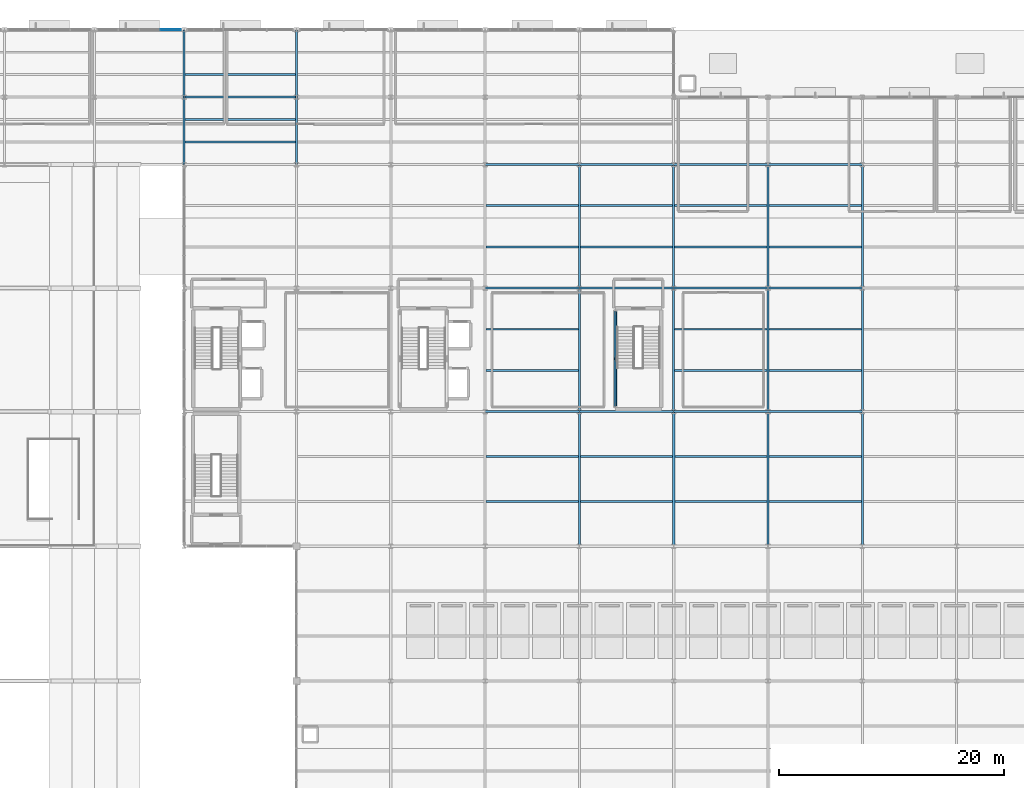
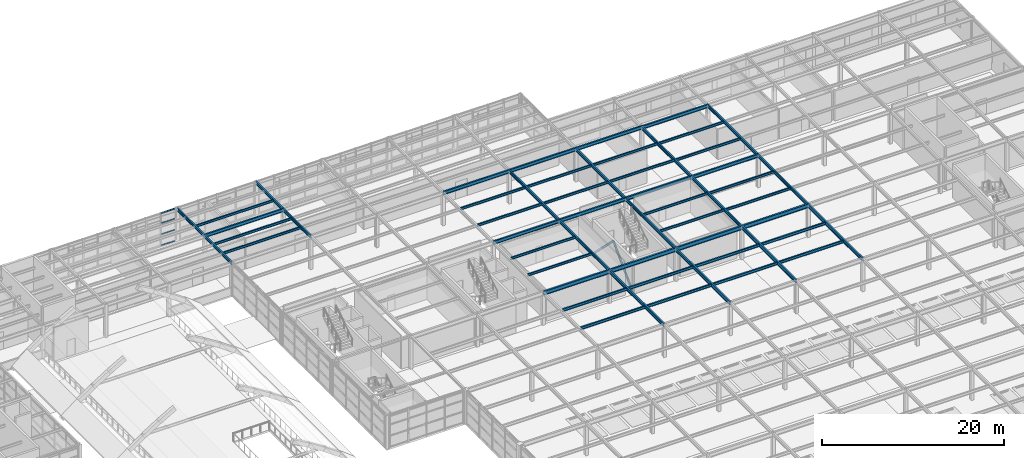
# One storey, part 34 of 82: 54 beams, 6 members, 1 element without a shape of its own.
"""IFC4 building model written with IfcOpenShell, lengths in metres."""

from ifc_helpers import new_model, si_unit, direction, frame, origin, origin_2d, place, context, subcontext, project, spatial, rectangle, hollow_circle, i_section, extrude, material, layer, layer_set, material_profile, profile_set, type_object, element, aggregate, save


model = new_model("IFC4")

# Units and contexts
model_context = context("Model", 3, precision=1e-05, world=origin(), true_north=direction((0.0, 1.0)))
body_context = subcontext(model_context, "Body", "Model", "MODEL_VIEW")
ifc_project = project(units=[si_unit("LENGTHUNIT", "METRE"), si_unit("AREAUNIT", "SQUARE_METRE"), si_unit("VOLUMEUNIT", "CUBIC_METRE"), si_unit("PLANEANGLEUNIT", "RADIAN"), si_unit("MASSUNIT", "GRAM", prefix="KILO")], contexts=[model_context])

# Site, building, storey
site_placement = place(None, origin())
site = spatial("IfcSite", under=ifc_project, at=site_placement, CompositionType="ELEMENT")
building_placement = place(site_placement, origin())
building = spatial("IfcBuilding", under=site, at=building_placement, Name="Sitalva Quay Ferry Terminal", CompositionType="ELEMENT")
storey_placement = place(building_placement, frame((0.0, 0.0, 5.39990234375)))
storey = spatial("IfcBuildingStorey", under=building, at=storey_placement, Name="L02", CompositionType="ELEMENT", Elevation=5.39990234375)

# Beams
ifc_material_1 = material(Name="Structural Steel S355JR", Category="steel")
ifc_material_profile_1 = material_profile(ifc_material_1, i_section(OverallWidth=0.180908203125, OverallDepth=0.4169921875, WebThickness=0.010986328125, FlangeThickness=0.018310546875, FilletRadius=0.012939453125, at=origin_2d()), Name="W410x85")
ifc_profile_set_1 = profile_set([ifc_material_profile_1], Name="Structural Steel S355JR")
beam_type_1 = type_object("IfcBeamType", Name="Beam_W410x85", PredefinedType="BEAM", material=ifc_profile_set_1)
for number, where, z_axis, x_axis, name in (
    (1, (74.0, 100.0, 4.24169921875), (0.0, 1.0, 0.0), (-1.0, 0.0, 0.0), "L02 Primary Y girder 1020"),
    (2, (84.0, 100.0, 4.29150390625), (0.0, 1.0, 0.0), (-1.0, 0.0, 0.0), "L02 Primary Y girder 1023"),
):
    element("IfcBeam", number, at=place(storey_placement, frame(where, z_axis=z_axis, x_axis=x_axis)), inside=storey, type_object=beam_type_1, Name=name, PredefinedType="BEAM", context=body_context, shape_type="SweptSolid", body=[
        extrude(i_section(OverallWidth=0.180908203125, OverallDepth=0.4169921875, WebThickness=0.010986328125, FlangeThickness=0.018310546875, FilletRadius=0.012939453125, at=origin_2d()), origin(), (0.0, 0.0, 1.0), 6.0),
    ])
for number, where, z_axis, x_axis, name in (
    (3, (109.199951171875, 78.0, 4.29150390625), (0.0, 1.0, 0.0), (-1.0, 0.0, 0.0), "L02 Primary Y girder 1030"),
    (4, (109.199951171875, 89.0, 4.29150390625), (0.0, 1.0, 0.0), (-1.0, 0.0, 0.0), "L02 Primary Y girder 1031"),
    (5, (117.60009765625, 78.0, 4.29150390625), (0.0, 1.0, 0.0), (-1.0, 0.0, 0.0), "L02 Primary Y girder 1033"),
    (6, (117.60009765625, 89.0, 4.29150390625), (0.0, 1.0, 0.0), (-1.0, 0.0, 0.0), "L02 Primary Y girder 1034"),
    (7, (126.0, 78.0, 4.24169921875), (0.0, 1.0, 0.0), (-1.0, 0.0, 0.0), "L02 Primary Y girder 1036"),
    (8, (126.0, 89.0, 4.24169921875), (0.0, 1.0, 0.0), (-1.0, 0.0, 0.0), "L02 Primary Y girder 1037"),
    (9, (134.39990234375, 78.0, 4.24169921875), (0.0, 1.0, 0.0), (-1.0, 0.0, 0.0), "L02 Primary Y girder 1084"),
    (10, (134.39990234375, 89.0, 4.24169921875), (0.0, 1.0, 0.0), (-1.0, 0.0, 0.0), "L02 Primary Y girder 1085"),
):
    element("IfcBeam", number, at=place(storey_placement, frame(where, z_axis=z_axis, x_axis=x_axis)), inside=storey, type_object=beam_type_1, Name=name, PredefinedType="BEAM", context=body_context, shape_type="SweptSolid", body=[
        extrude(i_section(OverallWidth=0.180908203125, OverallDepth=0.4169921875, WebThickness=0.010986328125, FlangeThickness=0.018310546875, FilletRadius=0.012939453125, at=origin_2d()), origin(), (0.0, 0.0, 1.0), 11.0),
    ])
for number, where, z_axis, x_axis, name in (
    (11, (74.0, 106.0, 4.24169921875), (0.0, 1.0, 0.0), (-1.0, 0.0, 0.0), "L02 Primary Y girder 1148"),
    (12, (84.0, 106.0, 4.29150390625), (0.0, 1.0, 0.0), (-1.0, 0.0, 0.0), "L02 Primary Y girder 1170"),
):
    element("IfcBeam", number, at=place(storey_placement, frame(where, z_axis=z_axis, x_axis=x_axis)), inside=storey, type_object=beam_type_1, Name=name, PredefinedType="BEAM", context=body_context, shape_type="SweptSolid", body=[
        extrude(i_section(OverallWidth=0.180908203125, OverallDepth=0.4169921875, WebThickness=0.010986328125, FlangeThickness=0.018310546875, FilletRadius=0.012939453125, at=origin_2d()), origin(), (0.0, 0.0, 1.0), 6.0),
    ])
ifc_material_2 = material(Name="Structural Steel S355JR", Category="steel")
ifc_material_profile_2 = material_profile(ifc_material_2, i_section(OverallWidth=0.19091796875, OverallDepth=0.4599609375, WebThickness=0.010009765625, FlangeThickness=0.01611328125, FilletRadius=0.013916015625, at=origin_2d()), Name="W460x82")
ifc_profile_set_2 = profile_set([ifc_material_profile_2], Name="Structural Steel S355JR")
beam_type_2 = type_object("IfcBeamType", Name="Beam_W460x82", PredefinedType="BEAM", material=ifc_profile_set_2)
for number, where, z_axis, x_axis, name in (
    (13, (109.199951171875, 66.0, 4.22021484375), (0.0, 1.0, 0.0), (-1.0, 0.0, 0.0), "L02 Primary Y girder 0826"),
    (14, (117.60009765625, 66.0, 4.22021484375), (0.0, 1.0, 0.0), (-1.0, 0.0, 0.0), "L02 Primary Y girder 0831"),
    (15, (126.0, 66.0, 4.22021484375), (0.0, 1.0, 0.0), (-1.0, 0.0, 0.0), "L02 Primary Y girder 0836"),
    (16, (134.39990234375, 66.0, 4.22021484375), (0.0, 1.0, 0.0), (-1.0, 0.0, 0.0), "L02 Primary Y girder 0841"),
):
    element("IfcBeam", number, at=place(storey_placement, frame(where, z_axis=z_axis, x_axis=x_axis)), inside=storey, type_object=beam_type_2, Name=name, PredefinedType="BEAM", context=body_context, shape_type="SweptSolid", body=[
        extrude(i_section(OverallWidth=0.19091796875, OverallDepth=0.4599609375, WebThickness=0.010009765625, FlangeThickness=0.01611328125, FilletRadius=0.013916015625, at=origin_2d()), origin(), (0.0, 0.0, 1.0), 12.0),
    ])
beam_1_placement = place(storey_placement, frame((100.800048828125, 89.0, 4.27001953125), z_axis=(1.0, 0.0, 0.0), x_axis=(0.0, 1.0, 0.0)))
element("IfcBeam", 17, at=beam_1_placement, inside=storey, type_object=beam_type_2, Name="L02 Primary X girder 1003", PredefinedType="BEAM", context=body_context, shape_type="SweptSolid", body=[
    extrude(i_section(OverallWidth=0.19091796875, OverallDepth=0.4599609375, WebThickness=0.010009765625, FlangeThickness=0.01611328125, FilletRadius=0.013916015625, at=origin_2d()), origin(), (0.0, 0.0, 1.0), 8.39990234375),
])
beam_2_placement = place(storey_placement, frame((109.199951171875, 89.0, 4.27001953125), z_axis=(1.0, 0.0, 0.0), x_axis=(0.0, 1.0, 0.0)))
element("IfcBeam", 18, at=beam_2_placement, inside=storey, type_object=beam_type_2, Name="L02 Primary X girder 1004", PredefinedType="BEAM", context=body_context, shape_type="SweptSolid", body=[
    extrude(i_section(OverallWidth=0.19091796875, OverallDepth=0.4599609375, WebThickness=0.010009765625, FlangeThickness=0.01611328125, FilletRadius=0.013916015625, at=origin_2d()), origin(), (0.0, 0.0, 1.0), 8.400146484375),
])
for number, where, z_axis, x_axis, name in (
    (19, (117.60009765625, 89.0, 4.27001953125), (1.0, 0.0, 0.0), (0.0, 1.0, 0.0), "L02 Primary X girder 1005"),
    (20, (100.800048828125, 100.0, 4.27001953125), (1.0, 0.0, 0.0), (0.0, 1.0, 0.0), "L02 Primary X girder 1009"),
):
    element("IfcBeam", number, at=place(storey_placement, frame(where, z_axis=z_axis, x_axis=x_axis)), inside=storey, type_object=beam_type_2, Name=name, PredefinedType="BEAM", context=body_context, shape_type="SweptSolid", body=[
        extrude(i_section(OverallWidth=0.19091796875, OverallDepth=0.4599609375, WebThickness=0.010009765625, FlangeThickness=0.01611328125, FilletRadius=0.013916015625, at=origin_2d()), origin(), (0.0, 0.0, 1.0), 8.39990234375),
    ])
beam_3_placement = place(storey_placement, frame((109.199951171875, 100.0, 4.27001953125), z_axis=(1.0, 0.0, 0.0), x_axis=(0.0, 1.0, 0.0)))
element("IfcBeam", 21, at=beam_3_placement, inside=storey, type_object=beam_type_2, Name="L02 Primary X girder 1010", PredefinedType="BEAM", context=body_context, shape_type="SweptSolid", body=[
    extrude(i_section(OverallWidth=0.19091796875, OverallDepth=0.4599609375, WebThickness=0.010009765625, FlangeThickness=0.01611328125, FilletRadius=0.013916015625, at=origin_2d()), origin(), (0.0, 0.0, 1.0), 8.400146484375),
])
beam_4_placement = place(storey_placement, frame((117.60009765625, 100.0, 4.27001953125), z_axis=(1.0, 0.0, 0.0), x_axis=(0.0, 1.0, 0.0)))
element("IfcBeam", 22, at=beam_4_placement, inside=storey, type_object=beam_type_2, Name="L02 Primary X girder 1011", PredefinedType="BEAM", context=body_context, shape_type="SweptSolid", body=[
    extrude(i_section(OverallWidth=0.19091796875, OverallDepth=0.4599609375, WebThickness=0.010009765625, FlangeThickness=0.01611328125, FilletRadius=0.013916015625, at=origin_2d()), origin(), (0.0, 0.0, 1.0), 8.39990234375),
])
beam_5_placement = place(storey_placement, frame((74.0, 106.0, 4.27001953125), z_axis=(1.0, 0.0, 0.0), x_axis=(0.0, 1.0, 0.0)))
element("IfcBeam", 23, at=beam_5_placement, inside=storey, type_object=beam_type_2, Name="L02 Primary X girder 1012", PredefinedType="BEAM", context=body_context, shape_type="SweptSolid", body=[
    extrude(i_section(OverallWidth=0.19091796875, OverallDepth=0.4599609375, WebThickness=0.010009765625, FlangeThickness=0.01611328125, FilletRadius=0.013916015625, at=origin_2d()), origin(), (0.0, 0.0, 1.0), 10.0),
])
for number, where, z_axis, x_axis, name in (
    (24, (126.0, 89.0, 4.22021484375), (1.0, 0.0, 0.0), (0.0, 1.0, 0.0), "L02 Primary X girder 1069"),
    (25, (126.0, 100.0, 4.22021484375), (1.0, 0.0, 0.0), (0.0, 1.0, 0.0), "L02 Primary X girder 1074"),
):
    element("IfcBeam", number, at=place(storey_placement, frame(where, z_axis=z_axis, x_axis=x_axis)), inside=storey, type_object=beam_type_2, Name=name, PredefinedType="BEAM", context=body_context, shape_type="SweptSolid", body=[
        extrude(i_section(OverallWidth=0.19091796875, OverallDepth=0.4599609375, WebThickness=0.010009765625, FlangeThickness=0.01611328125, FilletRadius=0.013916015625, at=origin_2d()), origin(), (0.0, 0.0, 1.0), 8.39990234375),
    ])

# Members
ifc_material_3 = material(Name="Structural Steel S355JR", Category="steel")
ifc_material_profile_3 = material_profile(ifc_material_3, hollow_circle(Radius=0.136474609375, WallThickness=0.010009765625, at=origin_2d()), Name="CHS273x10")
ifc_profile_set_3 = profile_set([ifc_material_profile_3], Name="Structural Steel S355JR")
member_type_1 = type_object("IfcMemberType", Name="Brace_CHS273x10", PredefinedType="BRACE", material=ifc_profile_set_3)
member_1_placement = place(storey_placement, frame((112.39990234375, 78.550048828125, 0.150146484375), z_axis=(0.0, 0.708814408986, 0.705395019556), x_axis=(-1.0, 0.0, 0.0)))
element("IfcMember", 26, at=member_1_placement, inside=storey, type_object=member_type_1, Name="Braced frame BF5 L02 chevron A", PredefinedType="BRACE", context=body_context, shape_type="SweptSolid", body=[
    extrude(hollow_circle(Radius=0.136474609375, WallThickness=0.010009765625, at=origin_2d()), origin(), (0.0, 0.0, 1.0), 5.854736328125),
])
member_2_placement = place(storey_placement, frame((112.39990234375, 82.699951171875, 4.280029296875), z_axis=(0.0, 0.708835157177, -0.705374170175), x_axis=(-1.0, 0.0, 0.0)))
element("IfcMember", 27, at=member_2_placement, inside=storey, type_object=member_type_1, Name="Braced frame BF5 L02 chevron B", PredefinedType="BRACE", context=body_context, shape_type="SweptSolid", body=[
    extrude(hollow_circle(Radius=0.136474609375, WallThickness=0.010009765625, at=origin_2d()), origin(), (0.0, 0.0, 1.0), 5.85498046875),
])

# Beams
ifc_material_4 = material(Name="Structural Steel S355JR", Category="steel")
ifc_material_profile_4 = material_profile(ifc_material_4, i_section(OverallWidth=0.2119140625, OverallDepth=0.5439453125, WebThickness=0.01318359375, FlangeThickness=0.021240234375, FilletRadius=0.014892578125, at=origin_2d()), Name="W530x123")
ifc_profile_set_4 = profile_set([ifc_material_profile_4], Name="Structural Steel S355JR")
beam_type_3 = type_object("IfcBeamType", Name="Girder_W530x123", PredefinedType="USERDEFINED", material=ifc_profile_set_4)
beam_6_placement = place(storey_placement, frame((100.800048828125, 78.0, 4.177978515625), z_axis=(1.0, 0.0, 0.0), x_axis=(0.0, 1.0, 0.0)))
element("IfcBeam", 28, at=beam_6_placement, inside=storey, type_object=beam_type_3, Name="L02 Primary X girder 0801", ObjectType="GIRDER", PredefinedType="USERDEFINED", context=body_context, shape_type="SweptSolid", body=[
    extrude(i_section(OverallWidth=0.2119140625, OverallDepth=0.5439453125, WebThickness=0.01318359375, FlangeThickness=0.021240234375, FilletRadius=0.014892578125, at=origin_2d()), origin(), (0.0, 0.0, 1.0), 8.39990234375),
])
beam_7_placement = place(storey_placement, frame((109.199951171875, 78.0, 4.177978515625), z_axis=(1.0, 0.0, 0.0), x_axis=(0.0, 1.0, 0.0)))
element("IfcBeam", 29, at=beam_7_placement, inside=storey, type_object=beam_type_3, Name="L02 Primary X girder 0802", ObjectType="GIRDER", PredefinedType="USERDEFINED", context=body_context, shape_type="SweptSolid", body=[
    extrude(i_section(OverallWidth=0.2119140625, OverallDepth=0.5439453125, WebThickness=0.01318359375, FlangeThickness=0.021240234375, FilletRadius=0.014892578125, at=origin_2d()), origin(), (0.0, 0.0, 1.0), 8.400146484375),
])
for number, where, z_axis, x_axis, name in (
    (30, (117.60009765625, 78.0, 4.177978515625), (1.0, 0.0, 0.0), (0.0, 1.0, 0.0), "L02 Primary X girder 0803"),
    (31, (126.0, 78.0, 4.177978515625), (1.0, 0.0, 0.0), (0.0, 1.0, 0.0), "L02 Primary X girder 0804"),
):
    element("IfcBeam", number, at=place(storey_placement, frame(where, z_axis=z_axis, x_axis=x_axis)), inside=storey, type_object=beam_type_3, Name=name, ObjectType="GIRDER", PredefinedType="USERDEFINED", context=body_context, shape_type="SweptSolid", body=[
        extrude(i_section(OverallWidth=0.2119140625, OverallDepth=0.5439453125, WebThickness=0.01318359375, FlangeThickness=0.021240234375, FilletRadius=0.014892578125, at=origin_2d()), origin(), (0.0, 0.0, 1.0), 8.39990234375),
    ])
ifc_material_5 = material(Name="Structural Steel S355JR", Category="steel")
ifc_material_profile_5 = material_profile(ifc_material_5, i_section(OverallWidth=0.166015625, OverallDepth=0.31298828125, WebThickness=0.006591796875, FlangeThickness=0.01123046875, FilletRadius=0.010986328125, at=origin_2d()), Name="W310x45")
ifc_profile_set_5 = profile_set([ifc_material_profile_5], Name="Structural Steel S355JR")
beam_type_4 = type_object("IfcBeamType", Name="Joist_W310x45", PredefinedType="JOIST", material=ifc_profile_set_5)
beam_8_placement = place(storey_placement, frame((100.890380859375, 81.666748046875, 4.343505859375), z_axis=(1.0, 0.0, 0.0), x_axis=(0.0, 1.0, 0.0)))
element("IfcBeam", 32, at=beam_8_placement, inside=storey, type_object=beam_type_4, Name="L02 Secondary joist 1040", PredefinedType="JOIST", context=body_context, shape_type="SweptSolid", body=[
    extrude(i_section(OverallWidth=0.166015625, OverallDepth=0.31298828125, WebThickness=0.006591796875, FlangeThickness=0.01123046875, FilletRadius=0.010986328125, at=origin_2d()), origin(), (0.0, 0.0, 1.0), 8.21923828125),
])
beam_9_placement = place(storey_placement, frame((117.6904296875, 81.666748046875, 4.343505859375), z_axis=(1.0, 0.0, 0.0), x_axis=(0.0, 1.0, 0.0)))
element("IfcBeam", 33, at=beam_9_placement, inside=storey, type_object=beam_type_4, Name="L02 Secondary joist 1041", PredefinedType="JOIST", context=body_context, shape_type="SweptSolid", body=[
    extrude(i_section(OverallWidth=0.166015625, OverallDepth=0.31298828125, WebThickness=0.006591796875, FlangeThickness=0.01123046875, FilletRadius=0.010986328125, at=origin_2d()), origin(), (0.0, 0.0, 1.0), 8.218994140625),
])
beam_10_placement = place(storey_placement, frame((100.890380859375, 85.333251953125, 4.343505859375), z_axis=(1.0, 0.0, 0.0), x_axis=(0.0, 1.0, 0.0)))
element("IfcBeam", 34, at=beam_10_placement, inside=storey, type_object=beam_type_4, Name="L02 Secondary joist 1043", PredefinedType="JOIST", context=body_context, shape_type="SweptSolid", body=[
    extrude(i_section(OverallWidth=0.166015625, OverallDepth=0.31298828125, WebThickness=0.006591796875, FlangeThickness=0.01123046875, FilletRadius=0.010986328125, at=origin_2d()), origin(), (0.0, 0.0, 1.0), 8.21923828125),
])
beam_11_placement = place(storey_placement, frame((117.6904296875, 85.333251953125, 4.343505859375), z_axis=(1.0, 0.0, 0.0), x_axis=(0.0, 1.0, 0.0)))
element("IfcBeam", 35, at=beam_11_placement, inside=storey, type_object=beam_type_4, Name="L02 Secondary joist 1044", PredefinedType="JOIST", context=body_context, shape_type="SweptSolid", body=[
    extrude(i_section(OverallWidth=0.166015625, OverallDepth=0.31298828125, WebThickness=0.006591796875, FlangeThickness=0.01123046875, FilletRadius=0.010986328125, at=origin_2d()), origin(), (0.0, 0.0, 1.0), 8.218994140625),
])
beam_12_placement = place(storey_placement, frame((100.890380859375, 92.666748046875, 4.343505859375), z_axis=(1.0, 0.0, 0.0), x_axis=(0.0, 1.0, 0.0)))
element("IfcBeam", 36, at=beam_12_placement, inside=storey, type_object=beam_type_4, Name="L02 Secondary joist 1048", PredefinedType="JOIST", context=body_context, shape_type="SweptSolid", body=[
    extrude(i_section(OverallWidth=0.166015625, OverallDepth=0.31298828125, WebThickness=0.006591796875, FlangeThickness=0.01123046875, FilletRadius=0.010986328125, at=origin_2d()), origin(), (0.0, 0.0, 1.0), 8.21923828125),
])
for number, where, z_axis, x_axis, name in (
    (37, (109.29052734375, 92.666748046875, 4.343505859375), (1.0, 0.0, 0.0), (0.0, 1.0, 0.0), "L02 Secondary joist 1049"),
    (38, (117.6904296875, 92.666748046875, 4.343505859375), (1.0, 0.0, 0.0), (0.0, 1.0, 0.0), "L02 Secondary joist 1050"),
):
    element("IfcBeam", number, at=place(storey_placement, frame(where, z_axis=z_axis, x_axis=x_axis)), inside=storey, type_object=beam_type_4, Name=name, PredefinedType="JOIST", context=body_context, shape_type="SweptSolid", body=[
        extrude(i_section(OverallWidth=0.166015625, OverallDepth=0.31298828125, WebThickness=0.006591796875, FlangeThickness=0.01123046875, FilletRadius=0.010986328125, at=origin_2d()), origin(), (0.0, 0.0, 1.0), 8.218994140625),
    ])
beam_13_placement = place(storey_placement, frame((100.890380859375, 96.333251953125, 4.343505859375), z_axis=(1.0, 0.0, 0.0), x_axis=(0.0, 1.0, 0.0)))
element("IfcBeam", 39, at=beam_13_placement, inside=storey, type_object=beam_type_4, Name="L02 Secondary joist 1054", PredefinedType="JOIST", context=body_context, shape_type="SweptSolid", body=[
    extrude(i_section(OverallWidth=0.166015625, OverallDepth=0.31298828125, WebThickness=0.006591796875, FlangeThickness=0.01123046875, FilletRadius=0.010986328125, at=origin_2d()), origin(), (0.0, 0.0, 1.0), 8.21923828125),
])
for number, where, z_axis, x_axis, name in (
    (40, (109.29052734375, 96.333251953125, 4.343505859375), (1.0, 0.0, 0.0), (0.0, 1.0, 0.0), "L02 Secondary joist 1055"),
    (41, (117.6904296875, 96.333251953125, 4.343505859375), (1.0, 0.0, 0.0), (0.0, 1.0, 0.0), "L02 Secondary joist 1056"),
):
    element("IfcBeam", number, at=place(storey_placement, frame(where, z_axis=z_axis, x_axis=x_axis)), inside=storey, type_object=beam_type_4, Name=name, PredefinedType="JOIST", context=body_context, shape_type="SweptSolid", body=[
        extrude(i_section(OverallWidth=0.166015625, OverallDepth=0.31298828125, WebThickness=0.006591796875, FlangeThickness=0.01123046875, FilletRadius=0.010986328125, at=origin_2d()), origin(), (0.0, 0.0, 1.0), 8.218994140625),
    ])
for number, where, z_axis, x_axis, name in (
    (42, (74.090576171875, 102.0, 4.343505859375), (1.0, 0.0, 0.0), (0.0, 1.0, 0.0), "L02 Secondary joist 1057"),
    (43, (74.090576171875, 104.0, 4.343505859375), (1.0, 0.0, 0.0), (0.0, 1.0, 0.0), "L02 Secondary joist 1063"),
):
    element("IfcBeam", number, at=place(storey_placement, frame(where, z_axis=z_axis, x_axis=x_axis)), inside=storey, type_object=beam_type_4, Name=name, PredefinedType="JOIST", context=body_context, shape_type="SweptSolid", body=[
        extrude(i_section(OverallWidth=0.166015625, OverallDepth=0.31298828125, WebThickness=0.006591796875, FlangeThickness=0.01123046875, FilletRadius=0.010986328125, at=origin_2d()), origin(), (0.0, 0.0, 1.0), 9.81884765625),
    ])
for number, where, z_axis, x_axis, name in (
    (44, (126.090576171875, 81.666748046875, 4.293701171875), (1.0, 0.0, 0.0), (0.0, 1.0, 0.0), "L02 Secondary joist 1099"),
    (45, (126.090576171875, 85.333251953125, 4.293701171875), (1.0, 0.0, 0.0), (0.0, 1.0, 0.0), "L02 Secondary joist 1104"),
    (46, (126.090576171875, 92.666748046875, 4.293701171875), (1.0, 0.0, 0.0), (0.0, 1.0, 0.0), "L02 Secondary joist 1109"),
    (47, (126.090576171875, 96.333251953125, 4.293701171875), (1.0, 0.0, 0.0), (0.0, 1.0, 0.0), "L02 Secondary joist 1114"),
):
    element("IfcBeam", number, at=place(storey_placement, frame(where, z_axis=z_axis, x_axis=x_axis)), inside=storey, type_object=beam_type_4, Name=name, PredefinedType="JOIST", context=body_context, shape_type="SweptSolid", body=[
        extrude(i_section(OverallWidth=0.166015625, OverallDepth=0.31298828125, WebThickness=0.006591796875, FlangeThickness=0.01123046875, FilletRadius=0.010986328125, at=origin_2d()), origin(), (0.0, 0.0, 1.0), 8.218994140625),
    ])
beam_14_placement = place(storey_placement, frame((74.090576171875, 108.0, 4.343505859375), z_axis=(1.0, 0.0, 0.0), x_axis=(0.0, 1.0, 0.0)))
element("IfcBeam", 48, at=beam_14_placement, inside=storey, type_object=beam_type_4, Name="L02 Secondary joist 1175", PredefinedType="JOIST", context=body_context, shape_type="SweptSolid", body=[
    extrude(i_section(OverallWidth=0.166015625, OverallDepth=0.31298828125, WebThickness=0.006591796875, FlangeThickness=0.01123046875, FilletRadius=0.010986328125, at=origin_2d()), origin(), (0.0, 0.0, 1.0), 9.81884765625),
])
ifc_material_6 = material(Name="Structural Steel S355JR", Category="steel")
ifc_material_profile_6 = material_profile(ifc_material_6, i_section(OverallWidth=0.172119140625, OverallDepth=0.35791015625, WebThickness=0.0078125, FlangeThickness=0.01318359375, FilletRadius=0.011962890625, at=origin_2d()), Name="W360x57")
ifc_profile_set_6 = profile_set([ifc_material_profile_6], Name="Structural Steel S355JR")
beam_type_5 = type_object("IfcBeamType", Name="Joist_W360x57", PredefinedType="JOIST", material=ifc_profile_set_6)
for number, where, z_axis, x_axis, name in (
    (49, (100.8955078125, 70.0, 4.27099609375), (1.0, 0.0, 0.0), (0.0, 1.0, 0.0), "L02 Secondary joist 0942"),
    (50, (109.29541015625, 70.0, 4.27099609375), (1.0, 0.0, 0.0), (0.0, 1.0, 0.0), "L02 Secondary joist 0943"),
    (51, (117.695556640625, 70.0, 4.27099609375), (1.0, 0.0, 0.0), (0.0, 1.0, 0.0), "L02 Secondary joist 0944"),
    (52, (126.095458984375, 70.0, 4.27099609375), (1.0, 0.0, 0.0), (0.0, 1.0, 0.0), "L02 Secondary joist 0945"),
    (53, (100.8955078125, 74.0, 4.27099609375), (1.0, 0.0, 0.0), (0.0, 1.0, 0.0), "L02 Secondary joist 0951"),
    (54, (109.29541015625, 74.0, 4.27099609375), (1.0, 0.0, 0.0), (0.0, 1.0, 0.0), "L02 Secondary joist 0952"),
    (55, (117.695556640625, 74.0, 4.27099609375), (1.0, 0.0, 0.0), (0.0, 1.0, 0.0), "L02 Secondary joist 0953"),
    (56, (126.095458984375, 74.0, 4.27099609375), (1.0, 0.0, 0.0), (0.0, 1.0, 0.0), "L02 Secondary joist 0954"),
):
    element("IfcBeam", number, at=place(storey_placement, frame(where, z_axis=z_axis, x_axis=x_axis)), inside=storey, type_object=beam_type_5, Name=name, PredefinedType="JOIST", context=body_context, shape_type="SweptSolid", body=[
        extrude(i_section(OverallWidth=0.172119140625, OverallDepth=0.35791015625, WebThickness=0.0078125, FlangeThickness=0.01318359375, FilletRadius=0.011962890625, at=origin_2d()), origin(), (0.0, 0.0, 1.0), 8.208984375),
    ])

# Curtain wall, members
ifc_material_7 = material(Name="Anodised Aluminium & Low-E Glazing", Category="aluminium")
ifc_layer = layer(ifc_material_7, 0.159912109375)
ifc_layer_set = layer_set([ifc_layer], Name="Anodised Aluminium & Low-E Glazing")
curtain_wall_type = type_object("IfcCurtainWallType", Name="CW_Office_Unitised", PredefinedType="USERDEFINED", material=ifc_layer_set)
curtain_wall_placement = place(storey_placement, origin())
curtain_wall = element("IfcCurtainWall", 57, at=curtain_wall_placement, inside=storey, type_object=curtain_wall_type, Name="L02 forecourt horizontal curtain wall (CW-L02-118)", ObjectType="CURTAIN_WALL", PredefinedType="USERDEFINED")
ifc_material_8 = material(Name="Anodised Aluminium 6063-T6", Category="aluminium")
ifc_material_profile_7 = material_profile(ifc_material_8, rectangle(XDim=0.074951171875, YDim=0.14990234375, at=origin_2d()), Name="ALU75x150")
ifc_profile_set_7 = profile_set([ifc_material_profile_7], Name="Anodised Aluminium 6063-T6")
member_type_2 = type_object("IfcMemberType", Name="Transom_Alu_75x140", PredefinedType="MULLION", material=ifc_profile_set_7)
member_3_placement = place(storey_placement, frame((71.8974609375, 112.0, 0.0751953125), z_axis=(1.0, 0.0, 0.0), x_axis=(0.0, 1.0, 0.0)))
member_3 = element("IfcMember", 58, at=member_3_placement, type_object=member_type_2, Name="CW-L02-118-T3-0", ObjectType="TRANSOM", PredefinedType="USERDEFINED", context=body_context, shape_type="SweptSolid", body=[
    extrude(rectangle(XDim=0.074951171875, YDim=0.14990234375, at=origin_2d()), origin(), (0.0, 0.0, 1.0), 1.78515625),
])
member_4_placement = place(storey_placement, frame((71.8974609375, 112.0, 1.558349609375), z_axis=(1.0, 0.0, 0.0), x_axis=(0.0, 1.0, 0.0)))
member_4 = element("IfcMember", 59, at=member_4_placement, type_object=member_type_2, Name="CW-L02-118-T3-1", ObjectType="TRANSOM", PredefinedType="USERDEFINED", context=body_context, shape_type="SweptSolid", body=[
    extrude(rectangle(XDim=0.074951171875, YDim=0.14990234375, at=origin_2d()), origin(), (0.0, 0.0, 1.0), 1.78515625),
])
member_5_placement = place(storey_placement, frame((71.8974609375, 112.0, 3.041748046875), z_axis=(1.0, 0.0, 0.0), x_axis=(0.0, 1.0, 0.0)))
member_5 = element("IfcMember", 60, at=member_5_placement, type_object=member_type_2, Name="CW-L02-118-T3-2", ObjectType="TRANSOM", PredefinedType="USERDEFINED", context=body_context, shape_type="SweptSolid", body=[
    extrude(rectangle(XDim=0.074951171875, YDim=0.14990234375, at=origin_2d()), origin(), (0.0, 0.0, 1.0), 1.78515625),
])
member_6_placement = place(storey_placement, frame((71.8974609375, 112.0, 4.375), z_axis=(1.0, 0.0, 0.0), x_axis=(0.0, 1.0, 0.0)))
member_6 = element("IfcMember", 61, at=member_6_placement, type_object=member_type_2, Name="CW-L02-118-T3-3", ObjectType="TRANSOM", PredefinedType="USERDEFINED", context=body_context, shape_type="SweptSolid", body=[
    extrude(rectangle(XDim=0.074951171875, YDim=0.14990234375, at=origin_2d()), origin(), (0.0, 0.0, 1.0), 1.78515625),
])
aggregate(curtain_wall, [member_3, member_4, member_5, member_6])

save(model, "model.ifc")
